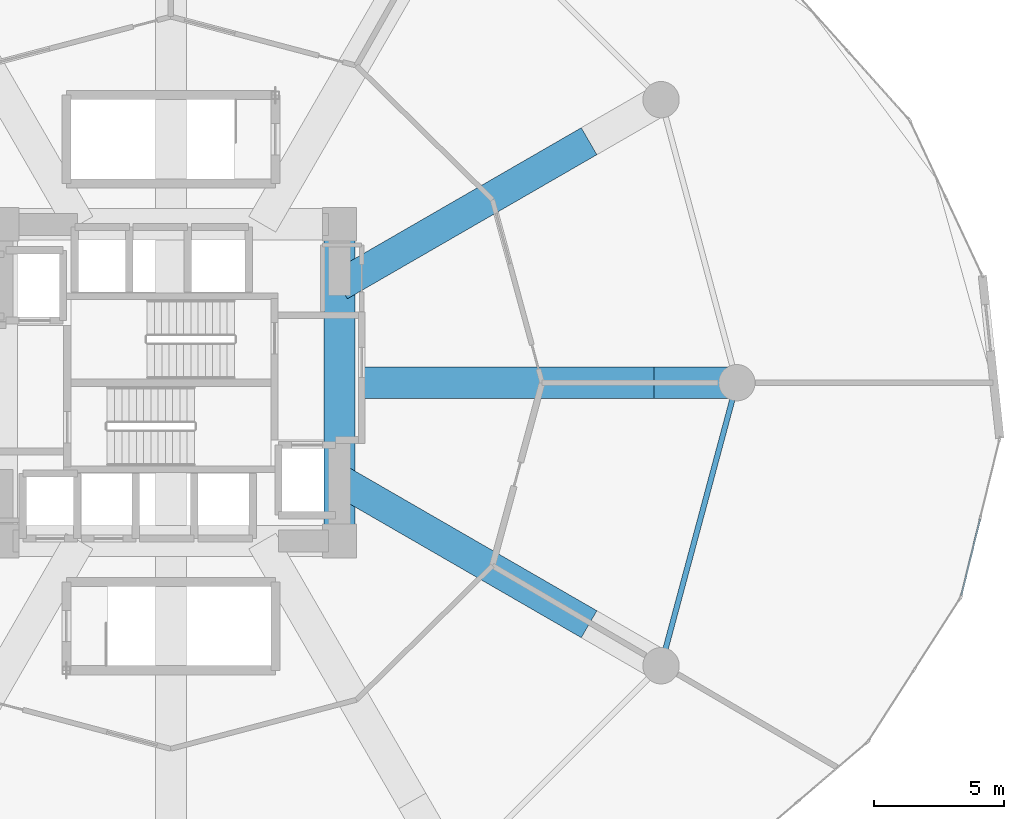
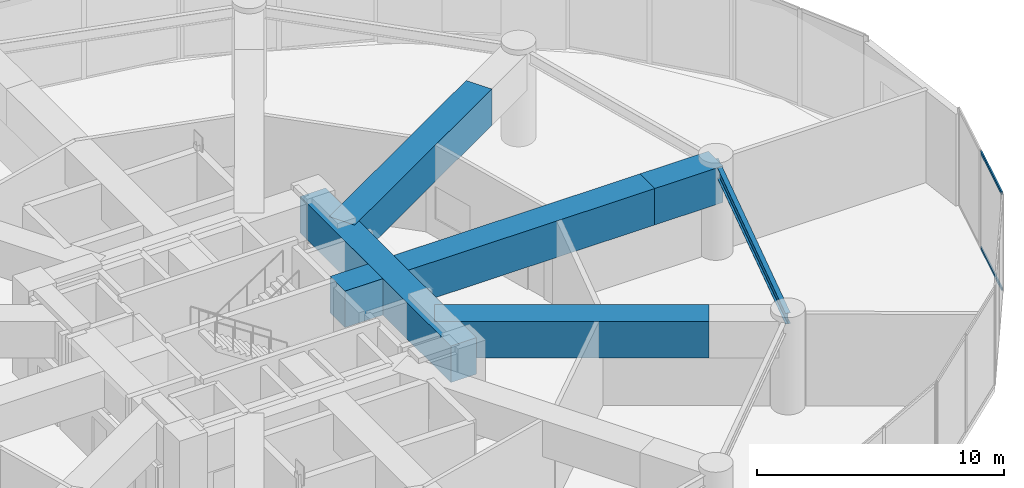
# One storey, part 12 of 27: 6 beams, 2 members, 1 element without a shape of its own.
"""IFC4 building model written with IfcOpenShell, lengths in metres."""

from ifc_helpers import new_model, si_unit, direction, frame, origin, origin_2d, place, context, subcontext, project, spatial, rectangle, hollow_rectangle, i_section, extrude, source, transform, mapped, material, layer, layer_set, material_profile, profile_set, type_object, element, aggregate, save


model = new_model("IFC4")

# Units and contexts
model_context = context("Model", 3, precision=1e-05, world=origin(), true_north=direction((0.0, 1.0)))
body_context = subcontext(model_context, "Body", "Model", "MODEL_VIEW")
ifc_project = project(units=[si_unit("LENGTHUNIT", "METRE"), si_unit("AREAUNIT", "SQUARE_METRE"), si_unit("VOLUMEUNIT", "CUBIC_METRE"), si_unit("PLANEANGLEUNIT", "RADIAN"), si_unit("MASSUNIT", "GRAM", prefix="KILO")], contexts=[model_context])

# Site, building, storey
site_placement = place(None, origin())
site = spatial("IfcSite", under=ifc_project, at=site_placement, CompositionType="ELEMENT")
building_placement = place(site_placement, origin())
building = spatial("IfcBuilding", under=site, at=building_placement, Name="Solvirekh Grand Hotel", CompositionType="ELEMENT")
storey_placement = place(building_placement, frame((0.0, 0.0, 23.60009765625)))
storey = spatial("IfcBuildingStorey", under=building, at=storey_placement, Name="L04", CompositionType="ELEMENT", Elevation=23.60009765625)

# Beams
ifc_material_1 = material(Name="Steel S355", Category="steel")
ifc_material_profile_1 = material_profile(ifc_material_1, i_section(OverallWidth=0.208984375, OverallDepth=0.532958984375, WebThickness=0.010009765625, FlangeThickness=0.014892578125, FilletRadius=0.013916015625, at=origin_2d()), Name="W530X92")
ifc_profile_set_1 = profile_set([ifc_material_profile_1], Name="Steel S355")
beam_type_1 = type_object("IfcBeamType", Name="Spandrel_Ring_W530", PredefinedType="SPANDREL", material=ifc_profile_set_1)
beam_1_placement = place(storey_placement, frame((18.87890625, -10.89990234375, 4.27294921875), z_axis=(0.258862249378, 0.965914248703, 0.0), x_axis=(-0.965914248703, 0.258862249378, 0.0)))
element("IfcBeam", 1, at=beam_1_placement, inside=storey, type_object=beam_type_1, Name="L04 perimeter spandrel beam 12", PredefinedType="SPANDREL", context=body_context, shape_type="SweptSolid", body=[
    extrude(i_section(OverallWidth=0.208984375, OverallDepth=0.532958984375, WebThickness=0.010009765625, FlangeThickness=0.014892578125, FilletRadius=0.013916015625, at=origin_2d()), origin(), (0.0, 0.0, 1.0), 11.284423828125),
])
ifc_material_2 = material(Name="Concrete C60/75", Category="concrete")
ifc_material_profile_2 = material_profile(ifc_material_2, rectangle(XDim=1.199951171875, YDim=1.800048828125, at=origin_2d()), Name="RC GIRDER 1200X1800")
ifc_profile_set_2 = profile_set([ifc_material_profile_2], Name="Concrete C60/75")
beam_type_2 = type_object("IfcBeamType", Name="TransferGirder_RC1800", PredefinedType="USERDEFINED", material=ifc_profile_set_2)
beam_2_placement = place(storey_placement, frame((6.5, -6.10009765625, 3.639892578125), z_axis=(0.0, 1.0, 0.0), x_axis=(-1.0, 0.0, 0.0)))
element("IfcBeam", 2, at=beam_2_placement, inside=storey, type_object=beam_type_2, Name="L04 core coupling ring beam 2", ObjectType="TRANSFER GIRDER", PredefinedType="USERDEFINED", context=body_context, shape_type="SweptSolid", body=[
    extrude(rectangle(XDim=1.199951171875, YDim=1.800048828125, at=origin_2d()), origin(), (0.0, 0.0, 1.0), 12.2001953125),
])
beam_3_placement = place(storey_placement, frame((4.1298828125, 0.0, 3.639892578125), z_axis=(1.0, 0.0, 0.0), x_axis=(0.0, 1.0, 0.0)))
element("IfcBeam", 3, at=beam_3_placement, inside=storey, type_object=beam_type_2, Name="L04 inner radial transfer girder 1A", ObjectType="TRANSFER GIRDER", PredefinedType="USERDEFINED", context=body_context, shape_type="SweptSolid", body=[
    extrude(rectangle(XDim=1.199951171875, YDim=1.800048828125, at=origin_2d()), origin(), (0.0, 0.0, 1.0), 14.47021484375),
])
beam_4_placement = place(storey_placement, frame((18.60009765625, 0.0, 3.639892578125), z_axis=(1.0, 0.0, 0.0), x_axis=(0.0, 1.0, 0.0)))
element("IfcBeam", 4, at=beam_4_placement, inside=storey, type_object=beam_type_2, Name="L04 outer radial transfer girder 1B", ObjectType="TRANSFER GIRDER", PredefinedType="USERDEFINED", context=body_context, shape_type="SweptSolid", body=[
    extrude(rectangle(XDim=1.199951171875, YDim=1.800048828125, at=origin_2d()), origin(), (0.0, 0.0, 1.0), 3.199951171875),
])
for number, where, z_axis, x_axis, name in (
    (5, (6.5, 3.751953125, 3.639892578125), (0.865987692315, 0.500065312493, 0.0), (-0.500065312493, 0.865987692315, 0.0), "L04 inner radial transfer girder 2A"),
    (6, (6.5, -3.751953125, 3.639892578125), (0.865987692315, -0.500065312493, 0.0), (0.500065312493, 0.865987692315, 0.0), "L04 inner radial transfer girder 12A"),
):
    element("IfcBeam", number, at=place(storey_placement, frame(where, z_axis=z_axis, x_axis=x_axis)), inside=storey, type_object=beam_type_2, Name=name, ObjectType="TRANSFER GIRDER", PredefinedType="USERDEFINED", context=body_context, shape_type="SweptSolid", body=[
        extrude(rectangle(XDim=1.199951171875, YDim=1.800048828125, at=origin_2d()), origin(), (0.0, 0.0, 1.0), 11.0947265625),
    ])

# Curtain wall, members
ifc_material_3 = material(Name="Anodized Bronze Aluminium 6063-T6", Category="aluminium")
ifc_layer = layer(ifc_material_3, 0.219970703125)
ifc_layer_set = layer_set([ifc_layer], Name="Anodized Bronze Aluminium 6063-T6")
curtain_wall_type = type_object("IfcCurtainWallType", Name="CW_Sys1_PodiumBronzeUnitised", PredefinedType="NOTDEFINED", material=ifc_layer_set)
curtain_wall_placement = place(storey_placement, origin())
curtain_wall = element("IfcCurtainWall", 7, at=curtain_wall_placement, inside=storey, type_object=curtain_wall_type, Name="L04 unitised bronze-glass curtain wall CW-L04-C24", PredefinedType="NOTDEFINED")
ifc_material_profile_3 = material_profile(ifc_material_3, hollow_rectangle(XDim=0.06494140625, YDim=0.14990234375, WallThickness=0.0048828125, at=origin_2d()), Name="ALU RHS 150X65X5")
ifc_profile_set_3 = profile_set([ifc_material_profile_3], Name="Anodized Bronze Aluminium 6063-T6")
member_type = type_object("IfcMemberType", Name="CWTransom_Sys1", PredefinedType="USERDEFINED", material=ifc_profile_set_3)
shared_shape = source(origin(), body_context, "Body", "SweptSolid", [
    extrude(hollow_rectangle(XDim=0.06494140625, YDim=0.14990234375, WallThickness=0.0048828125, at=origin_2d()), origin(), (0.0, 0.0, 1.0), 3.040771484375),
])
member_1_placement = place(storey_placement, frame((30.44189453125, -8.195068359375, 0.032470703125), z_axis=(0.23845300053, 0.971154038522, 0.0), x_axis=(-0.971154038522, 0.23845300053, 0.0)))
member_1 = element("IfcMember", 8, at=member_1_placement, type_object=member_type, Name="U01 transom 1.1", ObjectType="TRANSOM", PredefinedType="USERDEFINED", context=body_context, shape_type="MappedRepresentation", body=[
    mapped(shared_shape, transform((0.0, 0.0, 0.0), x_axis=(1.0, 0.0, 0.0), y_axis=(0.0, 1.0, 0.0), z_axis=(0.0, 0.0, 1.0), scale=1.0)),
])
member_2_placement = place(storey_placement, frame((30.44189453125, -8.195068359375, 4.767333984375), z_axis=(0.23845300053, 0.971154038522, 0.0), x_axis=(-0.971154038522, 0.23845300053, 0.0)))
member_2 = element("IfcMember", 9, at=member_2_placement, type_object=member_type, Name="U01 transom 1.2", ObjectType="TRANSOM", PredefinedType="USERDEFINED", context=body_context, shape_type="MappedRepresentation", body=[
    mapped(shared_shape, transform((0.0, 0.0, 0.0), x_axis=(1.0, 0.0, 0.0), y_axis=(0.0, 1.0, 0.0), z_axis=(0.0, 0.0, 1.0), scale=1.0)),
])
aggregate(curtain_wall, [member_1, member_2])

save(model, "model.ifc")
